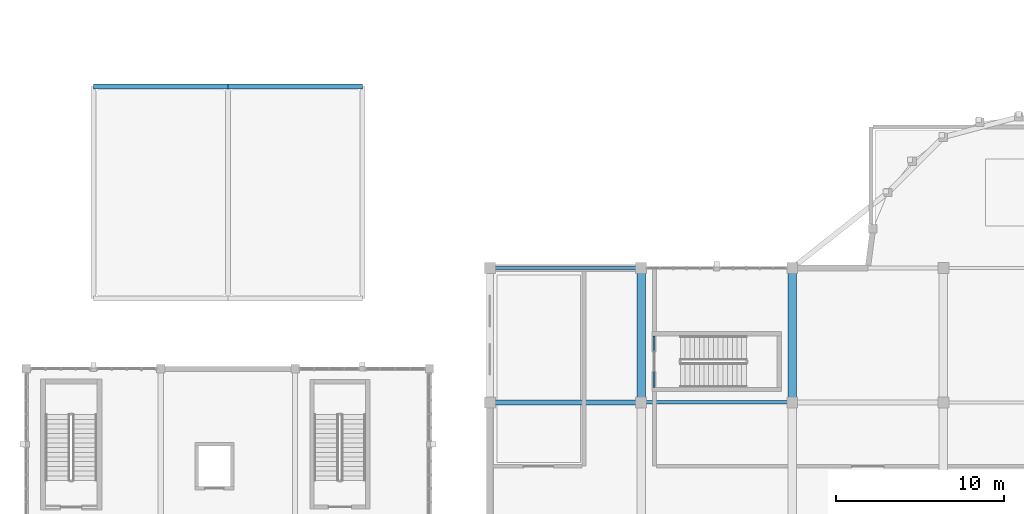
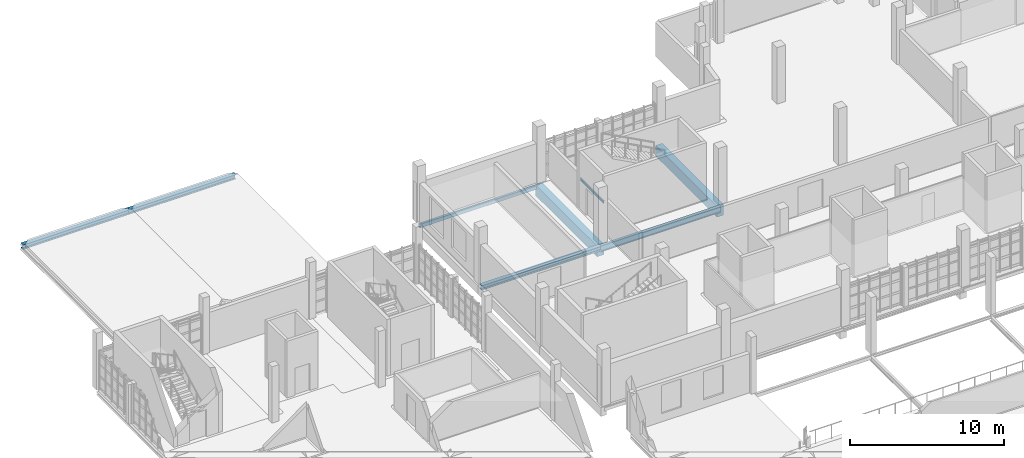
# One storey, part 23 of 125: 8 beams.
"""IFC4 building model written with IfcOpenShell, lengths in metres."""

import ifcopenshell
import ifcopenshell.guid

model = None  # the IFC model being written
_history = None  # IfcOwnerHistory: only IFC2X3 demands one
_inside = {}  # id of a spatial element -> (the spatial element, [elements in it])
_under = {}  # id of a project, library or spatial element -> (it, [spatial elements below it])
_declared = {}  # id of a project -> (the project, [libraries it declares])
_typed = {}  # id of a type object -> (the type object, [elements of that type])
_made_of = {}  # id of a material, layer set ... -> (it, [elements and type objects made of it])


def new_model(schema):
    """Start an empty IFC model of exactly this schema.

    Asked for "IFC4X3", IfcOpenShell would pick the latest addendum, in which some entities
    have other attributes; the version numbers below select the first issue.
    IFC2X3 requires an IfcOwnerHistory on every rooted entity: one is made here for all.
    """
    global model, _history
    if schema == "IFC4X3":
        model = ifcopenshell.file(schema_version=(4, 3, 0, 0))
    else:
        model = ifcopenshell.file(schema=schema)
    _inside.clear()
    _under.clear()
    _declared.clear()
    _typed.clear()
    _made_of.clear()
    _history = None
    if model.schema == "IFC2X3":
        org = make("IfcOrganization", Name="unknown")
        user = make(
            "IfcPersonAndOrganization",
            ThePerson=make("IfcPerson", FamilyName="unknown"),
            TheOrganization=org,
        )
        app = make(
            "IfcApplication",
            ApplicationDeveloper=org,
            Version="unknown",
            ApplicationFullName="unknown",
            ApplicationIdentifier="unknown",
        )
        _history = make(
            "IfcOwnerHistory",
            OwningUser=user,
            OwningApplication=app,
            ChangeAction="ADDED",
            CreationDate=0,
        )
    return model


def make(cls, **values):
    """One entity of the class cls with the attributes given. An attribute that is None is left unset."""
    return model.create_entity(
        cls, **{name: value for name, value in values.items() if value is not None}
    )


def rooted(cls, **values):
    """An entity with a GlobalId (a new one), such as an element, a storey or a relation."""
    return make(cls, GlobalId=ifcopenshell.guid.new(), OwnerHistory=_history, **values)


def si_unit(unit_type, name, prefix=None):
    """IfcSIUnit, for example si_unit("LENGTHUNIT", "METRE", prefix="MILLI")."""
    return make("IfcSIUnit", UnitType=unit_type, Prefix=prefix, Name=name)


def assignment(units):
    """IfcUnitAssignment: the units of a project."""
    return None if units is None else make("IfcUnitAssignment", Units=units)


def point(xyz):
    """IfcCartesianPoint."""
    return None if xyz is None else make("IfcCartesianPoint", Coordinates=xyz)


def direction(xyz):
    """IfcDirection."""
    return None if xyz is None else make("IfcDirection", DirectionRatios=xyz)


def frame(location, z_axis=None, x_axis=None):
    """IfcAxis2Placement3D, a coordinate frame: its origin and axes. An axis left out is left unset."""
    return make(
        "IfcAxis2Placement3D",
        Location=point(location),
        Axis=direction(z_axis),
        RefDirection=direction(x_axis),
    )


def frame_2d(location, x_axis=None):
    """IfcAxis2Placement2D, a coordinate frame in the plane: its origin and x axis."""
    return make(
        "IfcAxis2Placement2D", Location=point(location), RefDirection=direction(x_axis)
    )


def origin():
    """The frame at (0, 0, 0) with its axes left unset."""
    return frame((0.0, 0.0, 0.0))


def origin_2d():
    """The frame at (0, 0) in the plane with its x axis left unset."""
    return frame_2d((0.0, 0.0))


def place(relative_to, where):
    """IfcLocalPlacement: puts the frame where relative to a parent placement (None: the world)."""
    return make(
        "IfcLocalPlacement", PlacementRelTo=relative_to, RelativePlacement=where
    )


def context(
    kind, dimensions, precision=None, world=None, true_north=None, identifier=None
):
    """IfcGeometricRepresentationContext, for example the 3D "Model" context."""
    return make(
        "IfcGeometricRepresentationContext",
        ContextIdentifier=identifier,
        ContextType=kind,
        CoordinateSpaceDimension=dimensions,
        Precision=precision,
        WorldCoordinateSystem=world,
        TrueNorth=true_north,
    )


def subcontext(parent, identifier, kind, view, scale=None):
    """IfcGeometricRepresentationSubContext, for example "Body" below "Model"."""
    return make(
        "IfcGeometricRepresentationSubContext",
        ContextIdentifier=identifier,
        ContextType=kind,
        ParentContext=parent,
        TargetScale=scale,
        TargetView=view,
    )


def project(units=None, contexts=None):
    """IfcProject with its units and contexts."""
    return rooted(
        "IfcProject",
        Name="project",
        RepresentationContexts=contexts,
        UnitsInContext=assignment(units),
    )


def spatial(cls, under=None, at=None, **own):
    """A site, building, storey or space (cls), placed at a placement, below another one or the project."""
    s = rooted(cls, ObjectPlacement=at, **own)
    if under is not None:
        _under.setdefault(under.id(), (under, []))[1].append(s)
    return s


def profile(cls, at=None, kind="AREA", **sizes):
    """A parametric profile (cls). Its sizes go by their IFC names, for example OverallWidth=200.0."""
    return make(cls, ProfileType=kind, Position=at, **sizes)


def rectangle(**sizes):
    """IfcRectangleProfileDef."""
    return profile("IfcRectangleProfileDef", **sizes)


def hollow_rectangle(**sizes):
    """IfcRectangleHollowProfileDef."""
    return profile("IfcRectangleHollowProfileDef", **sizes)


def i_section(**sizes):
    """IfcIShapeProfileDef."""
    return profile("IfcIShapeProfileDef", **sizes)


def extrude(swept, where, along, depth):
    """IfcExtrudedAreaSolid: the profile swept, set in the frame where, extruded along a direction by depth."""
    return make(
        "IfcExtrudedAreaSolid",
        SweptArea=swept,
        Position=where,
        ExtrudedDirection=direction(along),
        Depth=depth,
    )


def shape(context_of_items, identifier, shape_type, items):
    """IfcShapeRepresentation: the items that make up one representation, for example the "Body"."""
    return make(
        "IfcShapeRepresentation",
        ContextOfItems=context_of_items,
        RepresentationIdentifier=identifier,
        RepresentationType=shape_type,
        Items=items,
    )


def material(Name=None, Category=None):
    """IfcMaterial."""
    return make("IfcMaterial", Name=Name, Category=Category)


def material_profile(
    of_material, cross_section, Name=None, Category=None, Priority=None
):
    """IfcMaterialProfile: a cross section and its material."""
    return make(
        "IfcMaterialProfile",
        Name=Name,
        Material=of_material,
        Profile=cross_section,
        Priority=Priority,
        Category=Category,
    )


def profile_set(profiles, Name=None, composite=None):
    """IfcMaterialProfileSet."""
    return make(
        "IfcMaterialProfileSet",
        Name=Name,
        MaterialProfiles=profiles,
        CompositeProfile=composite,
    )


def made_of(thing, what):
    """Note that an element or type object is made of a material, layer set ...; save() writes the relation."""
    if what is not None:
        _made_of.setdefault(what.id(), (what, []))[1].append(thing)
    return thing


def type_object(cls, material=None, **own):
    """A type object (cls), such as IfcWallType, which elements share."""
    return made_of(rooted(cls, **own), material)


def element(
    cls,
    number,
    at=None,
    inside=None,
    cuts=None,
    type_object=None,
    material=None,
    context=None,
    identifier="Body",
    shape_type=None,
    held_by="IfcProductDefinitionShape",
    body=None,
    shapes=None,
    **own,
):
    """One element of the class cls, such as IfcWall. Its Tag is "e" and its number.

    at: its placement. inside: the storey or other place that contains it. cuts: it is an
    opening in that element (IfcRelVoidsElement). A single representation is given by context,
    identifier, shape_type and body (its items); several are given by shapes. held_by: the class
    of the entity that holds the representations. save() writes the other relations.
    """
    e = rooted(cls, Tag="e%d" % number, ObjectPlacement=at, **own)
    if body is not None:
        shapes = [shape(context, identifier, shape_type, body)]
    if shapes is not None:
        e.Representation = make(held_by, Representations=shapes)
    if inside is not None:
        _inside.setdefault(inside.id(), (inside, []))[1].append(e)
    if cuts is not None:
        rooted(
            "IfcRelVoidsElement", RelatingBuildingElement=cuts, RelatedOpeningElement=e
        )
    if type_object is not None:
        _typed.setdefault(type_object.id(), (type_object, []))[1].append(e)
    return made_of(e, material)


def aggregate(whole, parts):
    """IfcRelAggregates: a whole, such as a stair, and the parts it consists of."""
    return rooted("IfcRelAggregates", RelatingObject=whole, RelatedObjects=parts)


def save(model, path):
    """Write the relations noted so far, then the file.

    IfcRelAggregates (storeys below a building ...), IfcRelContainedInSpatialStructure (elements
    in a storey), IfcRelDefinesByType, IfcRelAssociatesMaterial and IfcRelDeclares: one each for
    every whole, place, type object, material and project.
    """
    for whole, parts in _under.values():
        aggregate(whole, parts)
    for where, things in _inside.values():
        rooted(
            "IfcRelContainedInSpatialStructure",
            RelatedElements=things,
            RelatingStructure=where,
        )
    for kind, things in _typed.values():
        rooted("IfcRelDefinesByType", RelatedObjects=things, RelatingType=kind)
    for what, things in _made_of.values():
        rooted("IfcRelAssociatesMaterial", RelatedObjects=things, RelatingMaterial=what)
    for by, libraries in _declared.values():
        rooted("IfcRelDeclares", RelatingContext=by, RelatedDefinitions=libraries)
    model.write(path)


model = new_model("IFC4")

# Units and contexts
model_context = context("Model", 3, precision=1e-05, world=origin(), true_north=direction((0.0, 1.0)))
body_context = subcontext(model_context, "Body", "Model", "MODEL_VIEW")
ifc_project = project(units=[si_unit("LENGTHUNIT", "METRE"), si_unit("AREAUNIT", "SQUARE_METRE"), si_unit("VOLUMEUNIT", "CUBIC_METRE"), si_unit("PLANEANGLEUNIT", "RADIAN"), si_unit("MASSUNIT", "GRAM", prefix="KILO")], contexts=[model_context])

# Site, building, storey
site_placement = place(None, origin())
site = spatial("IfcSite", under=ifc_project, at=site_placement, CompositionType="ELEMENT")
building_placement = place(site_placement, origin())
building = spatial("IfcBuilding", under=site, at=building_placement, Name="Serraforn Aerial Cableway Station", CompositionType="ELEMENT")
storey_placement = place(building_placement, frame((0.0, 0.0, 4.5)))
storey = spatial("IfcBuildingStorey", under=building, at=storey_placement, Name="L01", CompositionType="ELEMENT", Elevation=4.5)

# Beams
ifc_material_1 = material(Name="Concrete C35/45", Category="concrete")
ifc_material_profile_1 = material_profile(ifc_material_1, rectangle(XDim=0.5, YDim=0.85009765625, at=origin_2d()), Name="RC 500x850")
ifc_profile_set_1 = profile_set([ifc_material_profile_1], Name="Concrete C35/45")
beam_type_1 = type_object("IfcBeamType", Name="BM-RC-500x850", PredefinedType="USERDEFINED", material=ifc_profile_set_1)
for number, where, z_axis, x_axis, name in (
    (1, (36.60009765625, 34.0, -0.7451171875), (0.0, 1.0, 0.0), (-1.0, 0.0, 0.0), "Grid Girder Y CV L01 X2-3"),
    (2, (45.60009765625, 34.0, -0.7451171875), (0.0, 1.0, 0.0), (-1.0, 0.0, 0.0), "Grid Girder Y CV L01 X3-3"),
):
    element("IfcBeam", number, at=place(storey_placement, frame(where, z_axis=z_axis, x_axis=x_axis)), inside=storey, type_object=beam_type_1, Name=name, ObjectType="GIRDER", PredefinedType="USERDEFINED", context=body_context, shape_type="SweptSolid", body=[
        extrude(rectangle(XDim=0.5, YDim=0.85009765625, at=origin_2d()), origin(), (0.0, 0.0, 1.0), 8.0),
    ])
ifc_material_2 = material(Name="Steel S355JR", Category="steel")
ifc_material_profile_2 = material_profile(ifc_material_2, i_section(OverallWidth=0.300048828125, OverallDepth=0.360107421875, WebThickness=0.010009765625, FlangeThickness=0.017578125, FilletRadius=0.027099609375, at=origin_2d()), Name="HEA 360")
ifc_profile_set_2 = profile_set([ifc_material_profile_2], Name="Steel S355JR")
beam_type_2 = type_object("IfcBeamType", Name="BM-ST-HEA360", PredefinedType="BEAM", material=ifc_profile_set_2)
for number, where, z_axis, x_axis, name in (
    (3, (4.0, 52.800048828125, -0.39990234375), (1.0, 0.0, 0.0), (0.0, 1.0, 0.0), "Colonnade Spandrel Beam WX-1-2"),
    (4, (12.0, 52.800048828125, -0.39990234375), (1.0, 0.0, 0.0), (0.0, 1.0, 0.0), "Colonnade Spandrel Beam WX-2-2"),
):
    element("IfcBeam", number, at=place(storey_placement, frame(where, z_axis=z_axis, x_axis=x_axis)), inside=storey, type_object=beam_type_2, Name=name, PredefinedType="BEAM", context=body_context, shape_type="SweptSolid", body=[
        extrude(i_section(OverallWidth=0.300048828125, OverallDepth=0.360107421875, WebThickness=0.010009765625, FlangeThickness=0.017578125, FilletRadius=0.027099609375, at=origin_2d()), origin(), (0.0, 0.0, 1.0), 8.0),
    ])
ifc_material_3 = material(Name="Steel S355J2", Category="steel")
ifc_material_profile_3 = material_profile(ifc_material_3, i_section(OverallWidth=0.300048828125, OverallDepth=0.360107421875, WebThickness=0.012451171875, FlangeThickness=0.0224609375, FilletRadius=0.027099609375, at=origin_2d()), Name="HEB 360")
ifc_profile_set_3 = profile_set([ifc_material_profile_3], Name="Steel S355J2")
beam_type_3 = type_object("IfcBeamType", Name="BM-ST-HEB360", PredefinedType="USERDEFINED", material=ifc_profile_set_3)
beam_1_placement = place(storey_placement, frame((27.60009765625, 34.0, -0.5), z_axis=(1.0, 0.0, 0.0), x_axis=(0.0, 1.0, 0.0)))
element("IfcBeam", 5, at=beam_1_placement, inside=storey, type_object=beam_type_3, Name="Grid Girder X CV L01 Y3-1", ObjectType="GIRDER", PredefinedType="USERDEFINED", context=body_context, shape_type="SweptSolid", body=[
    extrude(i_section(OverallWidth=0.300048828125, OverallDepth=0.360107421875, WebThickness=0.012451171875, FlangeThickness=0.0224609375, FilletRadius=0.027099609375, at=origin_2d()), origin(), (0.0, 0.0, 1.0), 9.0),
])
ifc_material_profile_4 = material_profile(ifc_material_2, i_section(OverallWidth=0.10009765625, OverallDepth=0.199951171875, WebThickness=0.005615234375, FlangeThickness=0.008544921875, FilletRadius=0.011962890625, at=origin_2d()), Name="IPE 200")
ifc_profile_set_4 = profile_set([ifc_material_profile_4], Name="Steel S355JR")
beam_type_4 = type_object("IfcBeamType", Name="BM-ST-IPE200", PredefinedType="LINTEL", material=ifc_profile_set_4)
beam_2_placement = place(storey_placement, frame((37.375, 34.89990234375, 2.27490234375), z_axis=(0.0, 1.0, 0.0), x_axis=(-1.0, 0.0, 0.0)))
element("IfcBeam", 6, at=beam_2_placement, inside=storey, type_object=beam_type_4, Name="Stair Core Door Lintel D-S19", PredefinedType="LINTEL", context=body_context, shape_type="SweptSolid", body=[
    extrude(i_section(OverallWidth=0.10009765625, OverallDepth=0.199951171875, WebThickness=0.005615234375, FlangeThickness=0.008544921875, FilletRadius=0.011962890625, at=origin_2d()), origin(), (0.0, 0.0, 1.0), 3.06005859375),
])
ifc_material_profile_5 = material_profile(ifc_material_2, i_section(OverallWidth=0.199951171875, OverallDepth=0.5, WebThickness=0.01025390625, FlangeThickness=0.01611328125, FilletRadius=0.02099609375, at=origin_2d()), Name="IPE 500")
ifc_profile_set_5 = profile_set([ifc_material_profile_5], Name="Steel S355JR")
beam_type_5 = type_object("IfcBeamType", Name="BM-ST-IPE500", PredefinedType="USERDEFINED", material=ifc_profile_set_5)
beam_3_placement = place(storey_placement, frame((36.60009765625, 34.0, -0.570068359375), z_axis=(1.0, 0.0, 0.0), x_axis=(0.0, 1.0, 0.0)))
element("IfcBeam", 7, at=beam_3_placement, inside=storey, type_object=beam_type_5, Name="Grid Girder X CV L01 Y3-2", ObjectType="GIRDER", PredefinedType="USERDEFINED", context=body_context, shape_type="SweptSolid", body=[
    extrude(i_section(OverallWidth=0.199951171875, OverallDepth=0.5, WebThickness=0.01025390625, FlangeThickness=0.01611328125, FilletRadius=0.02099609375, at=origin_2d()), origin(), (0.0, 0.0, 1.0), 9.0),
])
ifc_material_profile_6 = material_profile(ifc_material_3, hollow_rectangle(XDim=0.199951171875, YDim=0.300048828125, WallThickness=0.012451171875, InnerFilletRadius=0.012451171875, OuterFilletRadius=0.02490234375, at=origin_2d()), Name="RHS 300x200x12.5")
ifc_profile_set_6 = profile_set([ifc_material_profile_6], Name="Steel S355J2")
beam_type_6 = type_object("IfcBeamType", Name="BM-ST-RHS300", PredefinedType="SPANDREL", material=ifc_profile_set_6)
beam_4_placement = place(storey_placement, frame((27.60009765625, 42.0, -0.469970703125), z_axis=(1.0, 0.0, 0.0), x_axis=(0.0, 1.0, 0.0)))
element("IfcBeam", 8, at=beam_4_placement, inside=storey, type_object=beam_type_6, Name="Grid Girder X CV L01 Y4-1", PredefinedType="SPANDREL", context=body_context, shape_type="SweptSolid", body=[
    extrude(hollow_rectangle(XDim=0.199951171875, YDim=0.300048828125, WallThickness=0.012451171875, InnerFilletRadius=0.012451171875, OuterFilletRadius=0.02490234375, at=origin_2d()), origin(), (0.0, 0.0, 1.0), 9.0),
])

save(model, "model.ifc")
